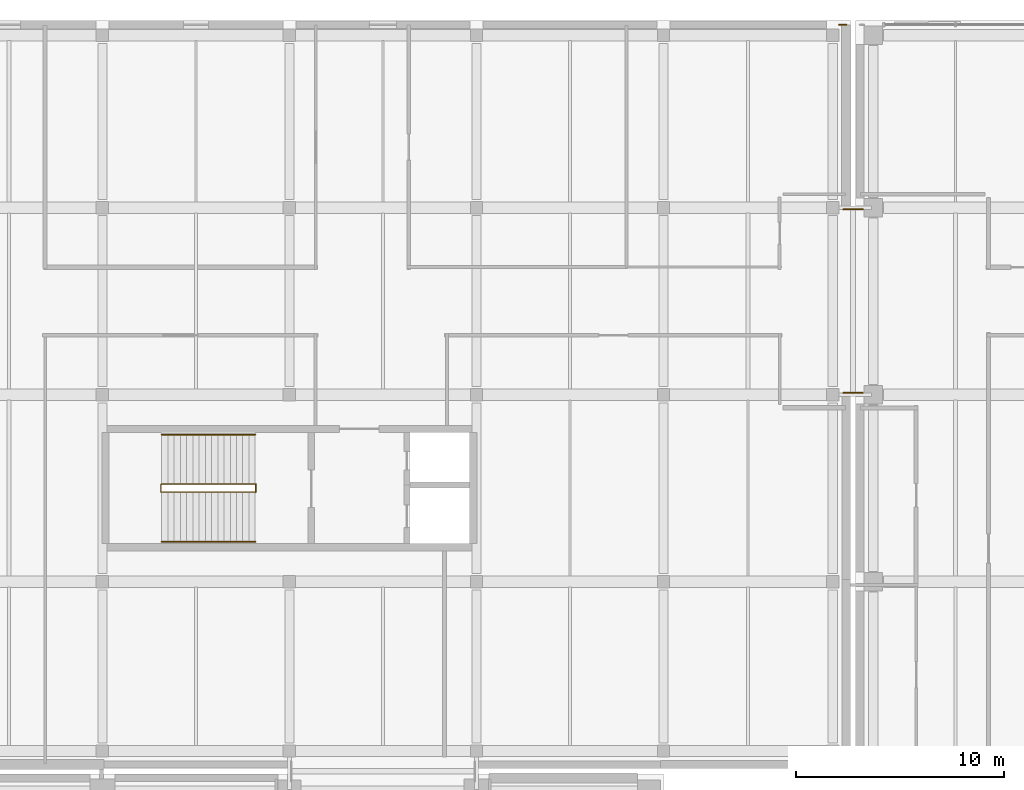
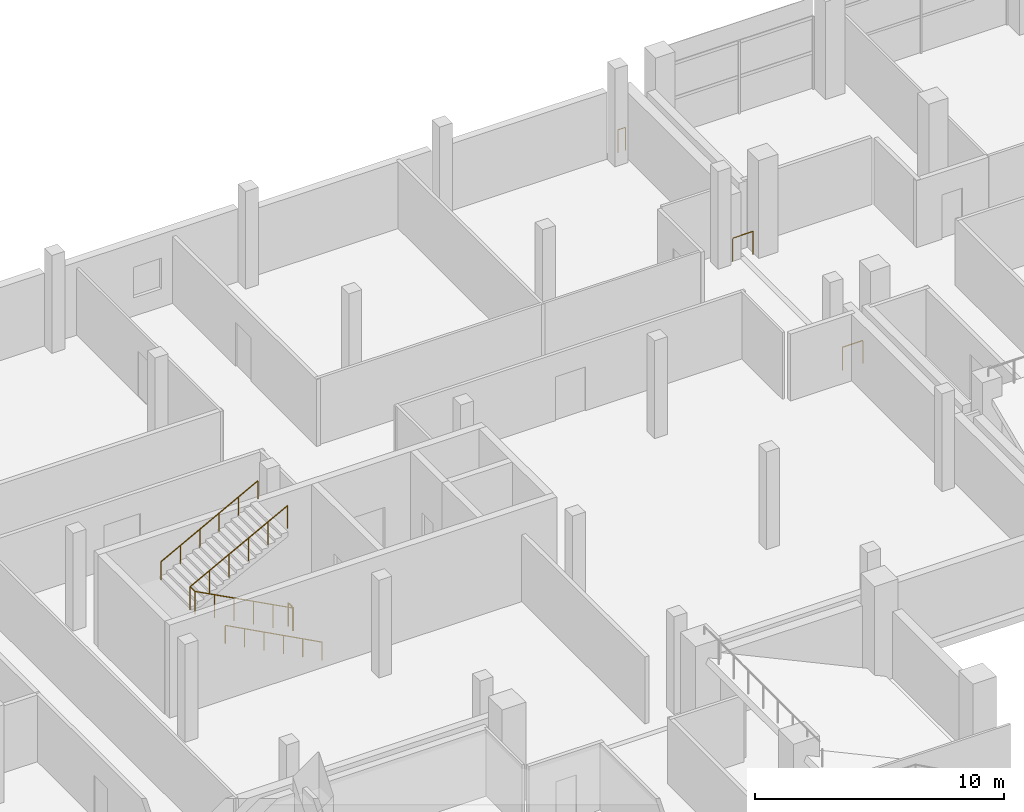
# One storey, part 96 of 100: 7 railings.
"""IFC4 building model written with IfcOpenShell, lengths in metres."""

from ifc_helpers import new_model, si_unit, direction, frame, origin, origin_2d, place, context, subcontext, project, spatial, circle, extrude, material, type_object, element, save


model = new_model("IFC4")

# Units and contexts
model_context = context("Model", 3, precision=1e-05, world=origin(), true_north=direction((0.0, 1.0)))
body_context = subcontext(model_context, "Body", "Model", "MODEL_VIEW")
ifc_project = project(units=[si_unit("LENGTHUNIT", "METRE"), si_unit("AREAUNIT", "SQUARE_METRE"), si_unit("VOLUMEUNIT", "CUBIC_METRE"), si_unit("PLANEANGLEUNIT", "RADIAN"), si_unit("MASSUNIT", "GRAM", prefix="KILO"), si_unit("THERMODYNAMICTEMPERATUREUNIT", "KELVIN"), si_unit("POWERUNIT", "WATT")], contexts=[model_context])

# Site, building, storey
site_placement = place(None, origin())
site = spatial("IfcSite", under=ifc_project, at=site_placement, CompositionType="ELEMENT")
building_placement = place(site_placement, origin())
building = spatial("IfcBuilding", under=site, at=building_placement, Name="Sindhuravela Promenade Stadium", CompositionType="ELEMENT")
storey_placement = place(building_placement, frame((0.0, 0.0, 4.800048828125)))
storey = spatial("IfcBuildingStorey", under=building, at=storey_placement, Name="L01", CompositionType="ELEMENT", Elevation=4.800048828125)

# Railings
ifc_material = material(Name="Architectural wrought steel E350", Category="steel")
railing_type_1 = type_object("IfcRailingType", Name="RL-GRD-1150", PredefinedType="GUARDRAIL", material=ifc_material)
railing_1_placement = place(storey_placement, frame((53.455078125, 161.800048828125, 0.0)))
element("IfcRailing", 1, at=railing_1_placement, inside=storey, type_object=railing_type_1, Name="Perimeter edge return guard Pavilion NW L01", PredefinedType="GUARDRAIL", context=body_context, shape_type="SweptSolid", body=[
    extrude(circle(Radius=0.02392578125, at=origin_2d()), frame((0.0, 0.0, 1.1259765625), z_axis=(1.0, 0.0, 0.0), x_axis=(0.0, 1.0, 0.0)), (0.0, 0.0, 1.0), 0.344970703125),
    extrude(circle(Radius=0.02099609375, at=origin_2d()), origin(), (0.0, 0.0, 1.0), 1.101806640625),
    extrude(circle(Radius=0.02099609375, at=origin_2d()), frame((0.344970703125, 0.0, 0.0)), (0.0, 0.0, 1.0), 1.101806640625),
])
for number, where, name in (
    (2, (53.64990234375, 144.080078125, 0.0), "Bridge edge guardrail GR01-69"),
    (3, (53.64990234375, 152.919921875, 0.0), "Bridge edge guardrail GR01-70"),
):
    element("IfcRailing", number, at=place(storey_placement, frame(where)), inside=storey, type_object=railing_type_1, Name=name, PredefinedType="GUARDRAIL", context=body_context, shape_type="SweptSolid", body=[
        extrude(circle(Radius=0.02392578125, at=origin_2d()), frame((0.0, 0.0, 1.1259765625), z_axis=(1.0, 0.0, 0.0), x_axis=(0.0, 1.0, 0.0)), (0.0, 0.0, 1.0), 0.9501953125),
        extrude(circle(Radius=0.02099609375, at=origin_2d()), origin(), (0.0, 0.0, 1.0), 1.101806640625),
        extrude(circle(Radius=0.02099609375, at=origin_2d()), frame((0.9501953125, 0.0, 0.0)), (0.0, 0.0, 1.0), 1.101806640625),
    ])
railing_2_placement = place(storey_placement, frame((25.35009765625, 139.31005859375, 0.0)))
element("IfcRailing", 4, at=railing_2_placement, inside=storey, type_object=railing_type_1, Name="Stair GS03 inner well guard (L01)", PredefinedType="GUARDRAIL", context=body_context, shape_type="SweptSolid", body=[
    extrude(circle(Radius=0.02392578125, at=origin_2d()), frame((0.0, 0.0, 1.1259765625), z_axis=(-0.8836546633431795, 0.0, 0.46813933390802775), x_axis=(0.0, -1.0, 0.0)), (0.0, 0.0, 1.0), 5.12646484375),
    extrude(circle(Radius=0.02392578125, at=origin_2d()), frame((-4.530029296875, 0.0, 3.52587890625), z_axis=(0.0, 1.0, 0.0), x_axis=(-1.0, 0.0, 0.0)), (0.0, 0.0, 1.0), 0.3798828125),
    extrude(circle(Radius=0.02392578125, at=origin_2d()), frame((-4.530029296875, 0.3798828125, 3.52587890625), z_axis=(0.8836349624059475, 0.0, 0.46817651928929505), x_axis=(0.0, 1.0, 0.0)), (0.0, 0.0, 1.0), 5.12646484375),
    extrude(circle(Radius=0.02099609375, at=origin_2d()), origin(), (0.0, 0.0, 1.0), 1.101806640625),
    extrude(circle(Radius=0.02099609375, at=origin_2d()), frame((-0.906005859375, 0.0, 0.47998046875)), (0.0, 0.0, 1.0), 1.101806640625),
    extrude(circle(Radius=0.02099609375, at=origin_2d()), frame((-1.81201171875, 0.0, 0.9599609375)), (0.0, 0.0, 1.0), 1.101806640625),
    extrude(circle(Radius=0.02099609375, at=origin_2d()), frame((-2.718017578125, 0.0, 1.43994140625)), (0.0, 0.0, 1.0), 1.101806640625),
    extrude(circle(Radius=0.02099609375, at=origin_2d()), frame((-3.6240234375, 0.0, 1.919921875)), (0.0, 0.0, 1.0), 1.101806640625),
    extrude(circle(Radius=0.02099609375, at=origin_2d()), frame((-4.530029296875, 0.0, 2.39990234375)), (0.0, 0.0, 1.0), 1.101806640625),
    extrude(circle(Radius=0.02099609375, at=origin_2d()), frame((-4.530029296875, 0.3798828125, 2.39990234375)), (0.0, 0.0, 1.0), 1.101806640625),
    extrude(circle(Radius=0.02099609375, at=origin_2d()), frame((-3.6240234375, 0.3798828125, 2.8798828125)), (0.0, 0.0, 1.0), 1.101806640625),
    extrude(circle(Radius=0.02099609375, at=origin_2d()), frame((-2.718017578125, 0.3798828125, 3.35986328125)), (0.0, 0.0, 1.0), 1.101806640625),
    extrude(circle(Radius=0.02099609375, at=origin_2d()), frame((-1.81201171875, 0.3798828125, 3.840087890625)), (0.0, 0.0, 1.0), 1.101806640625),
    extrude(circle(Radius=0.02099609375, at=origin_2d()), frame((-0.906005859375, 0.3798828125, 4.320068359375)), (0.0, 0.0, 1.0), 1.101806640625),
    extrude(circle(Radius=0.02099609375, at=origin_2d()), frame((0.0, 0.3798828125, 4.800048828125)), (0.0, 0.0, 1.0), 1.101806640625),
])
railing_3_placement = place(storey_placement, frame((25.3798828125, 139.31005859375, 0.0)))
element("IfcRailing", 5, at=railing_3_placement, inside=storey, type_object=railing_type_1, Name="Stair GS03 landing well slot guard (L01)", PredefinedType="GUARDRAIL", context=body_context, shape_type="SweptSolid", body=[
    extrude(circle(Radius=0.02392578125, at=origin_2d()), frame((0.0, 0.0, 1.1259765625), z_axis=(0.0, 1.0, 0.0), x_axis=(-1.0, 0.0, 0.0)), (0.0, 0.0, 1.0), 0.3798828125),
    extrude(circle(Radius=0.02099609375, at=origin_2d()), origin(), (0.0, 0.0, 1.0), 1.101806640625),
    extrude(circle(Radius=0.02099609375, at=origin_2d()), frame((0.0, 0.3798828125, 0.0)), (0.0, 0.0, 1.0), 1.101806640625),
])
railing_type_2 = type_object("IfcRailingType", Name="RL-HND-920", PredefinedType="HANDRAIL", material=ifc_material)
railing_4_placement = place(storey_placement, frame((25.35009765625, 136.919921875, 0.0)))
element("IfcRailing", 6, at=railing_4_placement, inside=storey, type_object=railing_type_2, Name="Stair GS03 lower wall handrail (L01)", PredefinedType="HANDRAIL", context=body_context, shape_type="SweptSolid", body=[
    extrude(circle(Radius=0.02392578125, at=origin_2d()), frame((0.0, 0.0, 0.89599609375), z_axis=(-0.8823608919668723, 0.0, 0.4705733272588083), x_axis=(0.0, -1.0, 0.0)), (0.0, 0.0, 1.0), 5.099853515625),
    extrude(circle(Radius=0.02099609375, at=origin_2d()), origin(), (0.0, 0.0, 1.0), 0.871826171875),
    extrude(circle(Radius=0.02099609375, at=origin_2d()), frame((-0.89990234375, 0.0, 0.47998046875)), (0.0, 0.0, 1.0), 0.871826171875),
    extrude(circle(Radius=0.02099609375, at=origin_2d()), frame((-1.800048828125, 0.0, 0.9599609375)), (0.0, 0.0, 1.0), 0.871826171875),
    extrude(circle(Radius=0.02099609375, at=origin_2d()), frame((-2.699951171875, 0.0, 1.43994140625)), (0.0, 0.0, 1.0), 0.871826171875),
    extrude(circle(Radius=0.02099609375, at=origin_2d()), frame((-3.60009765625, 0.0, 1.919921875)), (0.0, 0.0, 1.0), 0.871826171875),
    extrude(circle(Radius=0.02099609375, at=origin_2d()), frame((-4.5, 0.0, 2.39990234375)), (0.0, 0.0, 1.0), 0.871826171875),
])
railing_5_placement = place(storey_placement, frame((20.85009765625, 142.080078125, 2.39990234375)))
element("IfcRailing", 7, at=railing_5_placement, inside=storey, type_object=railing_type_2, Name="Stair GS03 upper wall handrail (L01)", PredefinedType="HANDRAIL", context=body_context, shape_type="SweptSolid", body=[
    extrude(circle(Radius=0.02392578125, at=origin_2d()), frame((0.0, 0.0, 0.89599609375), z_axis=(0.8823410147872734, 0.0, 0.47061059659145427), x_axis=(0.0, 1.0, 0.0)), (0.0, 0.0, 1.0), 5.10009765625),
    extrude(circle(Radius=0.02099609375, at=origin_2d()), origin(), (0.0, 0.0, 1.0), 0.871826171875),
    extrude(circle(Radius=0.02099609375, at=origin_2d()), frame((0.89990234375, 0.0, 0.47998046875)), (0.0, 0.0, 1.0), 0.871826171875),
    extrude(circle(Radius=0.02099609375, at=origin_2d()), frame((1.800048828125, 0.0, 0.9599609375)), (0.0, 0.0, 1.0), 0.871826171875),
    extrude(circle(Radius=0.02099609375, at=origin_2d()), frame((2.699951171875, 0.0, 1.440185546875)), (0.0, 0.0, 1.0), 0.871826171875),
    extrude(circle(Radius=0.02099609375, at=origin_2d()), frame((3.60009765625, 0.0, 1.920166015625)), (0.0, 0.0, 1.0), 0.871826171875),
    extrude(circle(Radius=0.02099609375, at=origin_2d()), frame((4.5, 0.0, 2.400146484375)), (0.0, 0.0, 1.0), 0.871826171875),
])

save(model, "model.ifc")
